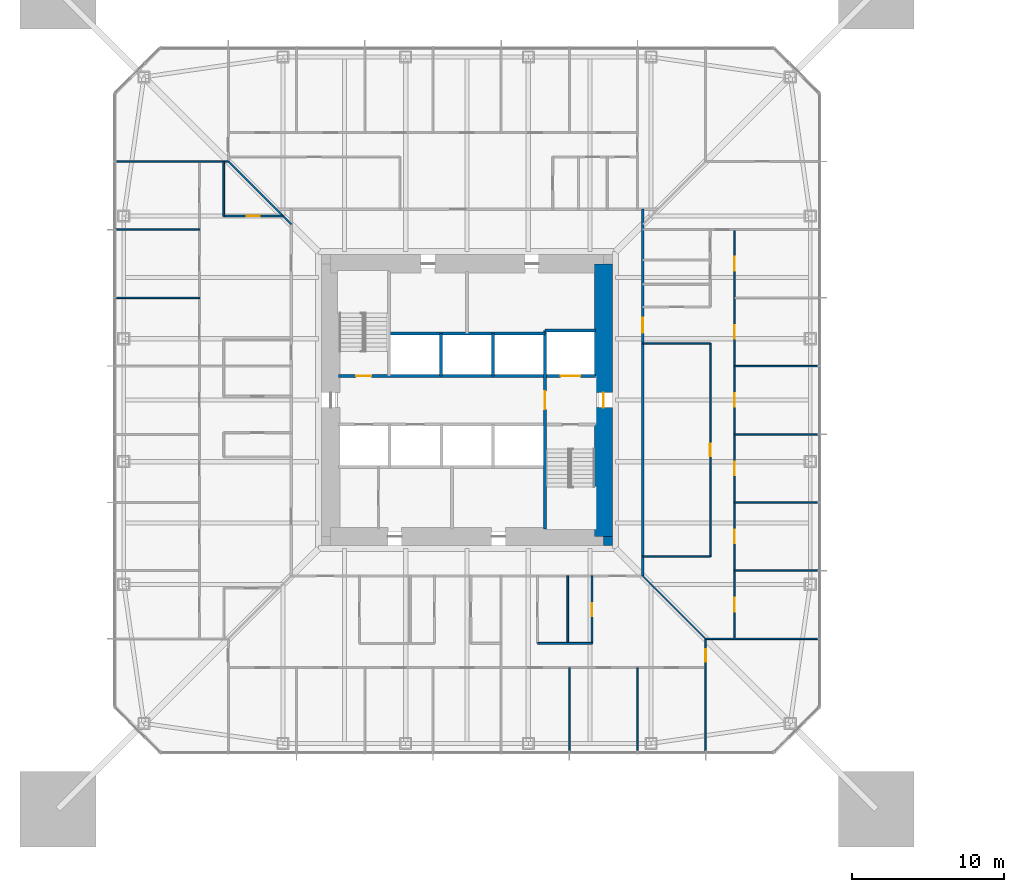
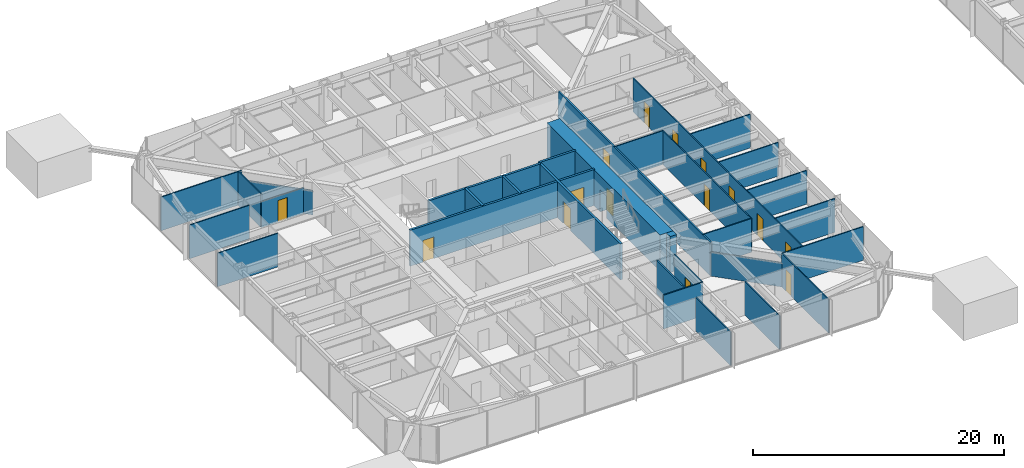
# One storey, part 16 of 26: 31 walls, 15 doors, 15 openings.
"""IFC4 building model written with IfcOpenShell, lengths in metres."""

from ifc_helpers import new_model, si_unit, direction, frame, frame_2d, origin, place, context, subcontext, project, spatial, rectangle, extrude, material, layer, layer_set, type_object, element, fill, save


model = new_model("IFC4")

# Units and contexts
model_context = context("Model", 3, precision=1e-05, world=origin(), true_north=direction((0.0, 1.0)))
body_context = subcontext(model_context, "Body", "Model", "MODEL_VIEW")
ifc_project = project(units=[si_unit("LENGTHUNIT", "METRE"), si_unit("AREAUNIT", "SQUARE_METRE"), si_unit("VOLUMEUNIT", "CUBIC_METRE"), si_unit("PLANEANGLEUNIT", "RADIAN"), si_unit("MASSUNIT", "GRAM", prefix="KILO")], contexts=[model_context])

# Site, building, storey
site_placement = place(None, origin())
site = spatial("IfcSite", under=ifc_project, at=site_placement, CompositionType="ELEMENT")
building_placement = place(site_placement, origin())
building = spatial("IfcBuilding", under=site, at=building_placement, Name="Iwan Alto Co-Living Towers", CompositionType="ELEMENT")
storey_placement = place(building_placement, frame((0.0, 0.0, 57.0)))
storey = spatial("IfcBuildingStorey", under=building, at=storey_placement, Name="L15", CompositionType="ELEMENT", Elevation=57.0)

# Wall, opening, door
ifc_material_1 = material(Name="Gypsum board")
ifc_layer_1 = layer(ifc_material_1, 0.02490234375, Name="Board", Category="Finish")
ifc_material_2 = material(Name="Steel ASTM A1003 ST33H cold-formed studs", Category="steel")
ifc_layer_2 = layer(ifc_material_2, 0.10009765625, Name="Studs", Category="Framing")
ifc_layer_3 = layer(ifc_material_1, 0.02490234375, Name="Board", Category="Finish")
ifc_layer_set_1 = layer_set([ifc_layer_1, ifc_layer_2, ifc_layer_3], Name="CORRIDOR WALL 150")
wall_type_1 = type_object("IfcWallType", Name="CORRIDOR WALL 150", PredefinedType="PARTITIONING", material=ifc_layer_set_1)
wall_1_placement = place(storey_placement, frame((11.60009765625, -11.60009765625, 0.0), z_axis=(0.0, 0.0, 1.0), x_axis=(0.0, 1.0, 0.0)))
wall_1 = element("IfcWall", 1, at=wall_1_placement, inside=storey, type_object=wall_type_1, Name="Partition L15", PredefinedType="PARTITIONING", context=body_context, shape_type="SweptSolid", body=[
    extrude(rectangle(XDim=24.2001953125, YDim=0.14990234375, at=frame_2d((12.10009765625, 0.0))), origin(), (0.0, 0.0, 1.0), 3.27001953125),
])
opening_1_placement = place(wall_1_placement, frame((16.050048828125, 0.0, 0.0)))
opening_1 = element("IfcOpeningElement", 2, at=opening_1_placement, cuts=wall_1, Name="Opening D3", PredefinedType="OPENING", context=body_context, shape_type="SweptSolid", body=[
    extrude(rectangle(XDim=1.0, YDim=2.10009765625, at=frame_2d((0.5, 1.050048828125))), frame((0.0, 0.0849609375, 0.0), z_axis=(0.0, -1.0, 0.0), x_axis=(1.0, 0.0, 0.0)), (0.0, 0.0, 1.0), 0.169921875),
])
ifc_material_3 = material(Name="Steel frame with timber leaf", Category="steel")
door_type_1 = type_object("IfcDoorType", Name="FLAT ENTRANCE DOOR FD30S 1000X2100", OperationType="SINGLE_SWING_LEFT", PredefinedType="DOOR", material=ifc_material_3)
door_1_placement = place(opening_1_placement, frame((1.0, 0.0, 0.0), z_axis=(0.0, 0.0, 1.0), x_axis=(-1.0, 0.0, 0.0)))
door_1 = element("IfcDoor", 3, at=door_1_placement, inside=storey, type_object=door_type_1, Name="Cluster lounge door L15", OperationType="SINGLE_SWING_RIGHT", OverallHeight=2.10009765625, OverallWidth=1.0, PredefinedType="DOOR", context=body_context, shape_type="SweptSolid", body=[
    extrude(rectangle(XDim=1.0, YDim=2.10009765625, at=frame_2d((0.5, 1.050048828125))), frame((0.0, 0.02490234375, 0.0), z_axis=(0.0, -1.0, 0.0), x_axis=(1.0, 0.0, 0.0)), (0.0, 0.0, 1.0), 0.050048828125),
])
fill(opening_1, door_1)

# Walls
ifc_layer_4 = layer(ifc_material_1, 0.012451171875, Name="Board", Category="Finish")
ifc_layer_5 = layer(ifc_material_2, 0.074951171875, Name="Studs", Category="Framing")
ifc_layer_6 = layer(ifc_material_1, 0.012451171875, Name="Board", Category="Finish")
ifc_layer_set_2 = layer_set([ifc_layer_4, ifc_layer_5, ifc_layer_6], Name="PARTITION 100")
wall_type_2 = type_object("IfcWallType", Name="PARTITION 100", PredefinedType="PARTITIONING", material=ifc_layer_set_2)
wall_2_placement = place(storey_placement, frame((15.75, -15.75, 0.0), z_axis=(0.0, 0.0, 1.0), x_axis=(1.0, 0.0, 0.0)))
element("IfcWall", 4, at=wall_2_placement, inside=storey, type_object=wall_type_2, Name="Partition L15", PredefinedType="PARTITIONING", context=body_context, shape_type="SweptSolid", body=[
    extrude(rectangle(XDim=7.43994140625, YDim=0.10009765625, at=frame_2d((3.719970703125, 0.0))), origin(), (0.0, 0.0, 1.0), 3.27001953125),
])
wall_3_placement = place(storey_placement, frame((17.64990234375, -11.25, 0.0), z_axis=(0.0, 0.0, 1.0), x_axis=(1.0, 0.0, 0.0)))
element("IfcWall", 5, at=wall_3_placement, inside=storey, type_object=wall_type_2, Name="Partition L15", PredefinedType="PARTITIONING", context=body_context, shape_type="SweptSolid", body=[
    extrude(rectangle(XDim=5.5400390625, YDim=0.10009765625, at=frame_2d((2.77001953125, 0.0))), origin(), (0.0, 0.0, 1.0), 3.27001953125),
])
wall_4_placement = place(storey_placement, frame((11.60009765625, -10.330078125, 0.0), z_axis=(0.0, 0.0, 1.0), x_axis=(1.0, 0.0, 0.0)))
element("IfcWall", 6, at=wall_4_placement, inside=storey, type_object=wall_type_2, Name="Partition L15", PredefinedType="PARTITIONING", context=body_context, shape_type="SweptSolid", body=[
    extrude(rectangle(XDim=4.449951171875, YDim=0.10009765625, at=frame_2d((2.22509765625, 0.0))), origin(), (0.0, 0.0, 1.0), 3.27001953125),
])
for number, where, z_axis, x_axis, name in (
    (7, (17.64990234375, -6.75, 0.0), (0.0, 0.0, 1.0), (1.0, 0.0, 0.0), "Partition L15"),
    (8, (17.64990234375, -2.25, 0.0), (0.0, 0.0, 1.0), (1.0, 0.0, 0.0), "Partition L15"),
    (9, (17.64990234375, 2.25, 0.0), (0.0, 0.0, 1.0), (1.0, 0.0, 0.0), "Partition L15"),
):
    element("IfcWall", number, at=place(storey_placement, frame(where, z_axis=z_axis, x_axis=x_axis)), inside=storey, type_object=wall_type_2, Name=name, PredefinedType="PARTITIONING", context=body_context, shape_type="SweptSolid", body=[
        extrude(rectangle(XDim=5.5400390625, YDim=0.10009765625, at=frame_2d((2.77001953125, 0.0))), origin(), (0.0, 0.0, 1.0), 3.27001953125),
    ])
wall_5_placement = place(storey_placement, frame((11.60009765625, 3.75, 0.0), z_axis=(0.0, 0.0, 1.0), x_axis=(1.0, 0.0, 0.0)))
element("IfcWall", 10, at=wall_5_placement, inside=storey, type_object=wall_type_2, Name="Partition L15", PredefinedType="PARTITIONING", context=body_context, shape_type="SweptSolid", body=[
    extrude(rectangle(XDim=4.449951171875, YDim=0.10009765625, at=frame_2d((2.22509765625, 0.0))), origin(), (0.0, 0.0, 1.0), 3.27001953125),
])
for number, where, z_axis, x_axis, name in (
    (11, (-23.18994140625, 6.75, 0.0), (0.0, 0.0, 1.0), (1.0, 0.0, 0.0), "Partition L15"),
    (12, (-23.18994140625, 11.25, 0.0), (0.0, 0.0, 1.0), (1.0, 0.0, 0.0), "Partition L15"),
):
    element("IfcWall", number, at=place(storey_placement, frame(where, z_axis=z_axis, x_axis=x_axis)), inside=storey, type_object=wall_type_2, Name=name, PredefinedType="PARTITIONING", context=body_context, shape_type="SweptSolid", body=[
        extrude(rectangle(XDim=5.5400390625, YDim=0.10009765625, at=frame_2d((2.77001953125, 0.0))), origin(), (0.0, 0.0, 1.0), 3.27001953125),
    ])
wall_6_placement = place(storey_placement, frame((-23.18994140625, 15.75, 0.0), z_axis=(0.0, 0.0, 1.0), x_axis=(1.0, 0.0, 0.0)))
element("IfcWall", 13, at=wall_6_placement, inside=storey, type_object=wall_type_2, Name="Partition L15", PredefinedType="PARTITIONING", context=body_context, shape_type="SweptSolid", body=[
    extrude(rectangle(XDim=7.43994140625, YDim=0.10009765625, at=frame_2d((3.719970703125, 0.0))), origin(), (0.0, 0.0, 1.0), 3.27001953125),
])

# Wall, openings, doors
wall_7_placement = place(storey_placement, frame((17.64990234375, -15.75, 0.0), z_axis=(0.0, 0.0, 1.0), x_axis=(0.0, 1.0, 0.0)))
wall_7 = element("IfcWall", 14, at=wall_7_placement, inside=storey, type_object=wall_type_2, Name="Partition L15", PredefinedType="PARTITIONING", context=body_context, shape_type="SweptSolid", body=[
    extrude(rectangle(XDim=27.0, YDim=0.10009765625, at=frame_2d((13.5, 0.0))), origin(), (0.0, 0.0, 1.0), 3.27001953125),
])
opening_2_placement = place(wall_7_placement, frame((1.800048828125, 0.0, 0.0)))
opening_2 = element("IfcOpeningElement", 15, at=opening_2_placement, cuts=wall_7, Name="Opening D1", PredefinedType="OPENING", context=body_context, shape_type="SweptSolid", body=[
    extrude(rectangle(XDim=0.89990234375, YDim=2.10009765625, at=frame_2d((0.449951171875, 1.050048828125))), frame((0.0, 0.06005859375, 0.0), z_axis=(0.0, -1.0, 0.0), x_axis=(1.0, 0.0, 0.0)), (0.0, 0.0, 1.0), 0.1201171875),
])
opening_3_placement = place(wall_7_placement, frame((6.300048828125, 0.0, 0.0)))
opening_3 = element("IfcOpeningElement", 16, at=opening_3_placement, cuts=wall_7, Name="Opening D1", PredefinedType="OPENING", context=body_context, shape_type="SweptSolid", body=[
    extrude(rectangle(XDim=0.89990234375, YDim=2.10009765625, at=frame_2d((0.449951171875, 1.050048828125))), frame((0.0, 0.06005859375, 0.0), z_axis=(0.0, -1.0, 0.0), x_axis=(1.0, 0.0, 0.0)), (0.0, 0.0, 1.0), 0.1201171875),
])
opening_4_placement = place(wall_7_placement, frame((10.800048828125, 0.0, 0.0)))
opening_4 = element("IfcOpeningElement", 17, at=opening_4_placement, cuts=wall_7, Name="Opening D1", PredefinedType="OPENING", context=body_context, shape_type="SweptSolid", body=[
    extrude(rectangle(XDim=0.89990234375, YDim=2.10009765625, at=frame_2d((0.449951171875, 1.050048828125))), frame((0.0, 0.06005859375, 0.0), z_axis=(0.0, -1.0, 0.0), x_axis=(1.0, 0.0, 0.0)), (0.0, 0.0, 1.0), 0.1201171875),
])
opening_5_placement = place(wall_7_placement, frame((15.300048828125, 0.0, 0.0)))
opening_5 = element("IfcOpeningElement", 18, at=opening_5_placement, cuts=wall_7, Name="Opening D1", PredefinedType="OPENING", context=body_context, shape_type="SweptSolid", body=[
    extrude(rectangle(XDim=0.89990234375, YDim=2.10009765625, at=frame_2d((0.449951171875, 1.050048828125))), frame((0.0, 0.06005859375, 0.0), z_axis=(0.0, -1.0, 0.0), x_axis=(1.0, 0.0, 0.0)), (0.0, 0.0, 1.0), 0.1201171875),
])
opening_6_placement = place(wall_7_placement, frame((19.800048828125, 0.0, 0.0)))
opening_6 = element("IfcOpeningElement", 19, at=opening_6_placement, cuts=wall_7, Name="Opening D1", PredefinedType="OPENING", context=body_context, shape_type="SweptSolid", body=[
    extrude(rectangle(XDim=0.89990234375, YDim=2.10009765625, at=frame_2d((0.449951171875, 1.050048828125))), frame((0.0, 0.06005859375, 0.0), z_axis=(0.0, -1.0, 0.0), x_axis=(1.0, 0.0, 0.0)), (0.0, 0.0, 1.0), 0.1201171875),
])
opening_7_placement = place(wall_7_placement, frame((24.300048828125, 0.0, 0.0)))
opening_7 = element("IfcOpeningElement", 20, at=opening_7_placement, cuts=wall_7, Name="Opening D1", PredefinedType="OPENING", context=body_context, shape_type="SweptSolid", body=[
    extrude(rectangle(XDim=0.89990234375, YDim=2.10009765625, at=frame_2d((0.449951171875, 1.050048828125))), frame((0.0, 0.06005859375, 0.0), z_axis=(0.0, -1.0, 0.0), x_axis=(1.0, 0.0, 0.0)), (0.0, 0.0, 1.0), 0.1201171875),
])
ifc_material_4 = material(Name="Timber leaf in steel frame", Category="steel")
door_type_2 = type_object("IfcDoorType", Name="BEDROOM DOOR 900X2100", OperationType="SINGLE_SWING_LEFT", PredefinedType="DOOR", material=ifc_material_4)
door_2_placement = place(opening_2_placement, origin())
door_2 = element("IfcDoor", 21, at=door_2_placement, inside=storey, type_object=door_type_2, Name="Study bedroom door L15", OperationType="SINGLE_SWING_LEFT", OverallHeight=2.10009765625, OverallWidth=0.89990234375, PredefinedType="DOOR", context=body_context, shape_type="SweptSolid", body=[
    extrude(rectangle(XDim=0.89990234375, YDim=2.10009765625, at=frame_2d((0.449951171875, 1.050048828125))), frame((0.0, 0.02490234375, 0.0), z_axis=(0.0, -1.0, 0.0), x_axis=(1.0, 0.0, 0.0)), (0.0, 0.0, 1.0), 0.050048828125),
])
fill(opening_2, door_2)
door_3_placement = place(opening_3_placement, origin())
door_3 = element("IfcDoor", 22, at=door_3_placement, inside=storey, type_object=door_type_2, Name="Study bedroom door L15", OperationType="SINGLE_SWING_LEFT", OverallHeight=2.10009765625, OverallWidth=0.89990234375, PredefinedType="DOOR", context=body_context, shape_type="SweptSolid", body=[
    extrude(rectangle(XDim=0.89990234375, YDim=2.10009765625, at=frame_2d((0.449951171875, 1.050048828125))), frame((0.0, 0.02490234375, 0.0), z_axis=(0.0, -1.0, 0.0), x_axis=(1.0, 0.0, 0.0)), (0.0, 0.0, 1.0), 0.050048828125),
])
fill(opening_3, door_3)
door_4_placement = place(opening_4_placement, origin())
door_4 = element("IfcDoor", 23, at=door_4_placement, inside=storey, type_object=door_type_2, Name="Study bedroom door L15", OperationType="SINGLE_SWING_LEFT", OverallHeight=2.10009765625, OverallWidth=0.89990234375, PredefinedType="DOOR", context=body_context, shape_type="SweptSolid", body=[
    extrude(rectangle(XDim=0.89990234375, YDim=2.10009765625, at=frame_2d((0.449951171875, 1.050048828125))), frame((0.0, 0.02490234375, 0.0), z_axis=(0.0, -1.0, 0.0), x_axis=(1.0, 0.0, 0.0)), (0.0, 0.0, 1.0), 0.050048828125),
])
fill(opening_4, door_4)
door_5_placement = place(opening_5_placement, origin())
door_5 = element("IfcDoor", 24, at=door_5_placement, inside=storey, type_object=door_type_2, Name="Study bedroom door L15", OperationType="SINGLE_SWING_RIGHT", OverallHeight=2.10009765625, OverallWidth=0.89990234375, PredefinedType="DOOR", context=body_context, shape_type="SweptSolid", body=[
    extrude(rectangle(XDim=0.89990234375, YDim=2.10009765625, at=frame_2d((0.449951171875, 1.050048828125))), frame((0.0, 0.02490234375, 0.0), z_axis=(0.0, -1.0, 0.0), x_axis=(1.0, 0.0, 0.0)), (0.0, 0.0, 1.0), 0.050048828125),
])
fill(opening_5, door_5)
door_6_placement = place(opening_6_placement, origin())
door_6 = element("IfcDoor", 25, at=door_6_placement, inside=storey, type_object=door_type_2, Name="Study bedroom door L15", OperationType="SINGLE_SWING_RIGHT", OverallHeight=2.10009765625, OverallWidth=0.89990234375, PredefinedType="DOOR", context=body_context, shape_type="SweptSolid", body=[
    extrude(rectangle(XDim=0.89990234375, YDim=2.10009765625, at=frame_2d((0.449951171875, 1.050048828125))), frame((0.0, 0.02490234375, 0.0), z_axis=(0.0, -1.0, 0.0), x_axis=(1.0, 0.0, 0.0)), (0.0, 0.0, 1.0), 0.050048828125),
])
fill(opening_6, door_6)
door_7_placement = place(opening_7_placement, origin())
door_7 = element("IfcDoor", 26, at=door_7_placement, inside=storey, type_object=door_type_2, Name="Study bedroom door L15", OperationType="SINGLE_SWING_RIGHT", OverallHeight=2.10009765625, OverallWidth=0.89990234375, PredefinedType="DOOR", context=body_context, shape_type="SweptSolid", body=[
    extrude(rectangle(XDim=0.89990234375, YDim=2.10009765625, at=frame_2d((0.449951171875, 1.050048828125))), frame((0.0, 0.02490234375, 0.0), z_axis=(0.0, -1.0, 0.0), x_axis=(1.0, 0.0, 0.0)), (0.0, 0.0, 1.0), 0.050048828125),
])
fill(opening_7, door_7)

# Wall, opening, door
wall_8_placement = place(storey_placement, frame((16.050048828125, -10.330078125, 0.0), z_axis=(0.0, 0.0, 1.0), x_axis=(0.0, 1.0, 0.0)))
wall_8 = element("IfcWall", 27, at=wall_8_placement, inside=storey, type_object=wall_type_2, Name="Partition L15", PredefinedType="PARTITIONING", context=body_context, shape_type="SweptSolid", body=[
    extrude(rectangle(XDim=14.080078125, YDim=0.10009765625, at=frame_2d((7.0400390625, 0.0))), origin(), (0.0, 0.0, 1.0), 3.27001953125),
])
opening_8_placement = place(wall_8_placement, frame((6.614990234375, 0.0, 0.0)))
opening_8 = element("IfcOpeningElement", 28, at=opening_8_placement, cuts=wall_8, Name="Opening D2", PredefinedType="OPENING", context=body_context, shape_type="SweptSolid", body=[
    extrude(rectangle(XDim=0.85009765625, YDim=2.10009765625, at=frame_2d((0.425048828125, 1.050048828125))), frame((0.0, 0.06005859375, 0.0), z_axis=(0.0, -1.0, 0.0), x_axis=(1.0, 0.0, 0.0)), (0.0, 0.0, 1.0), 0.1201171875),
])
ifc_material_5 = material(Name="Timber leaf in steel frame", Category="steel")
door_type_3 = type_object("IfcDoorType", Name="ROOM DOOR 850X2100", OperationType="SINGLE_SWING_LEFT", PredefinedType="DOOR", material=ifc_material_5)
door_8_placement = place(opening_8_placement, frame((0.85009765625, 0.0, 0.0), z_axis=(0.0, 0.0, 1.0), x_axis=(-1.0, 0.0, 0.0)))
door_8 = element("IfcDoor", 29, at=door_8_placement, inside=storey, type_object=door_type_3, Name="Study lounge door L15", OperationType="SINGLE_SWING_RIGHT", OverallHeight=2.10009765625, OverallWidth=0.85009765625, PredefinedType="DOOR", context=body_context, shape_type="SweptSolid", body=[
    extrude(rectangle(XDim=0.85009765625, YDim=2.10009765625, at=frame_2d((0.425048828125, 1.050048828125))), frame((0.0, 0.02490234375, 0.0), z_axis=(0.0, -1.0, 0.0), x_axis=(1.0, 0.0, 0.0)), (0.0, 0.0, 1.0), 0.050048828125),
])
fill(opening_8, door_8)

wall_9_placement = place(storey_placement, frame((15.75, -23.18994140625, 0.0), z_axis=(0.0, 0.0, 1.0), x_axis=(0.0, 1.0, 0.0)))
wall_9 = element("IfcWall", 30, at=wall_9_placement, inside=storey, type_object=wall_type_2, Name="Partition L15", PredefinedType="PARTITIONING", context=body_context, shape_type="SweptSolid", body=[
    extrude(rectangle(XDim=7.43994140625, YDim=0.10009765625, at=frame_2d((3.719970703125, 0.0))), origin(), (0.0, 0.0, 1.0), 3.27001953125),
])
opening_9_placement = place(wall_9_placement, frame((5.9150390625, 0.0, 0.0)))
opening_9 = element("IfcOpeningElement", 31, at=opening_9_placement, cuts=wall_9, Name="Opening D2", PredefinedType="OPENING", context=body_context, shape_type="SweptSolid", body=[
    extrude(rectangle(XDim=0.85009765625, YDim=2.10009765625, at=frame_2d((0.425048828125, 1.050048828125))), frame((0.0, 0.06005859375, 0.0), z_axis=(0.0, -1.0, 0.0), x_axis=(1.0, 0.0, 0.0)), (0.0, 0.0, 1.0), 0.1201171875),
])
door_9_placement = place(opening_9_placement, origin())
door_9 = element("IfcDoor", 32, at=door_9_placement, inside=storey, type_object=door_type_3, Name="Shared kitchen and dining room door L15", OperationType="SINGLE_SWING_LEFT", OverallHeight=2.10009765625, OverallWidth=0.85009765625, PredefinedType="DOOR", context=body_context, shape_type="SweptSolid", body=[
    extrude(rectangle(XDim=0.85009765625, YDim=2.10009765625, at=frame_2d((0.425048828125, 1.050048828125))), frame((0.0, 0.02490234375, 0.0), z_axis=(0.0, -1.0, 0.0), x_axis=(1.0, 0.0, 0.0)), (0.0, 0.0, 1.0), 0.050048828125),
])
fill(opening_9, door_9)

# Walls
for number, where, z_axis, x_axis, name in (
    (33, (11.25, -23.18994140625, 0.0), (0.0, 0.0, 1.0), (0.0, 1.0, 0.0), "Partition L15"),
    (34, (6.75, -23.18994140625, 0.0), (0.0, 0.0, 1.0), (0.0, 1.0, 0.0), "Partition L15"),
):
    element("IfcWall", number, at=place(storey_placement, frame(where, z_axis=z_axis, x_axis=x_axis)), inside=storey, type_object=wall_type_2, Name=name, PredefinedType="PARTITIONING", context=body_context, shape_type="SweptSolid", body=[
        extrude(rectangle(XDim=5.5400390625, YDim=0.10009765625, at=frame_2d((2.77001953125, 0.0))), origin(), (0.0, 0.0, 1.0), 3.27001953125),
    ])
wall_10_placement = place(storey_placement, frame((15.75, -15.75, 0.0), z_axis=(0.0, 0.0, 1.0), x_axis=(-0.707106781187, 0.707106781187, 0.0)))
element("IfcWall", 35, at=wall_10_placement, inside=storey, type_object=wall_type_2, Name="Partition L15", PredefinedType="PARTITIONING", context=body_context, shape_type="SweptSolid", body=[
    extrude(rectangle(XDim=5.868896484375, YDim=0.10009765625, at=frame_2d((2.9345703125, 0.0))), origin(), (0.0, 0.0, 1.0), 2.343017578125),
])

# Wall, openings, doors
ifc_material_6 = material(Name="Concrete f'c 70 MPa", Category="concrete")
ifc_layer_7 = layer(ifc_material_6, 0.199951171875)
ifc_layer_set_3 = layer_set([ifc_layer_7], Name="SHAFT WALL 200")
wall_type_3 = type_object("IfcWallType", Name="SHAFT WALL 200", PredefinedType="SOLIDWALL", material=ifc_layer_set_3)
wall_11_placement = place(storey_placement, frame((-8.489990234375, 1.60009765625, 0.0), z_axis=(0.0, 0.0, 1.0), x_axis=(1.0, 0.0, 0.0)))
wall_11 = element("IfcWall", 36, at=wall_11_placement, inside=storey, type_object=wall_type_3, Name="Shaft wall L15", PredefinedType="SOLIDWALL", context=body_context, shape_type="SweptSolid", body=[
    extrude(rectangle(XDim=16.97998046875, YDim=0.199951171875, at=frame_2d((8.489990234375, 0.0))), origin(), (0.0, 0.0, 1.0), 3.5),
])
opening_10_placement = place(wall_11_placement, frame((1.169921875, 0.0, 0.0)))
opening_10 = element("IfcOpeningElement", 37, at=opening_10_placement, cuts=wall_11, Name="Opening D5", PredefinedType="OPENING", context=body_context, shape_type="SweptSolid", body=[
    extrude(rectangle(XDim=1.0, YDim=2.10009765625, at=frame_2d((0.5, 1.050048828125))), frame((0.0, 0.10986328125, 0.0), z_axis=(0.0, -1.0, 0.0), x_axis=(1.0, 0.0, 0.0)), (0.0, 0.0, 1.0), 0.219970703125),
])
opening_11_placement = place(wall_11_placement, frame((14.659912109375, 0.0, 0.0)))
opening_11 = element("IfcOpeningElement", 38, at=opening_11_placement, cuts=wall_11, Name="Opening LD2", PredefinedType="OPENING", context=body_context, shape_type="SweptSolid", body=[
    extrude(rectangle(XDim=1.300048828125, YDim=2.10009765625, at=frame_2d((0.64990234375, 1.050048828125))), frame((0.0, 0.10986328125, 0.0), z_axis=(0.0, -1.0, 0.0), x_axis=(1.0, 0.0, 0.0)), (0.0, 0.0, 1.0), 0.219970703125),
])
ifc_material_7 = material(Name="Steel frame with timber leaf", Category="steel")
door_type_4 = type_object("IfcDoorType", Name="LIFT LANDING DOOR 1300X2100", OperationType="SLIDING_TO_LEFT", PredefinedType="DOOR", material=ifc_material_7)
door_10_placement = place(opening_11_placement, origin())
door_10 = element("IfcDoor", 39, at=door_10_placement, inside=storey, type_object=door_type_4, Name="Lift FL1 landing door L15", OperationType="SLIDING_TO_LEFT", OverallHeight=2.10009765625, OverallWidth=1.300048828125, PredefinedType="DOOR", context=body_context, shape_type="SweptSolid", body=[
    extrude(rectangle(XDim=1.300048828125, YDim=2.10009765625, at=frame_2d((0.64990234375, 1.050048828125))), frame((0.0, 0.02490234375, 0.0), z_axis=(0.0, -1.0, 0.0), x_axis=(1.0, 0.0, 0.0)), (0.0, 0.0, 1.0), 0.050048828125),
])
fill(opening_11, door_10)
ifc_material_8 = material(Name="Steel frame with timber leaf", Category="steel")
door_type_5 = type_object("IfcDoorType", Name="STAIR DOOR FD120S 1000X2100", OperationType="SINGLE_SWING_LEFT", PredefinedType="DOOR", material=ifc_material_8)
door_11_placement = place(opening_10_placement, origin())
door_11 = element("IfcDoor", 40, at=door_11_placement, inside=storey, type_object=door_type_5, Name="Stair S1 door L15", OperationType="SINGLE_SWING_RIGHT", OverallHeight=2.10009765625, OverallWidth=1.0, PredefinedType="DOOR", context=body_context, shape_type="SweptSolid", body=[
    extrude(rectangle(XDim=1.0, YDim=2.10009765625, at=frame_2d((0.5, 1.050048828125))), frame((0.0, 0.02490234375, 0.0), z_axis=(0.0, -1.0, 0.0), x_axis=(1.0, 0.0, 0.0)), (0.0, 0.0, 1.0), 0.050048828125),
])
fill(opening_10, door_11)

# Walls
wall_12_placement = place(storey_placement, frame((-5.14990234375, 4.39990234375, 0.0), z_axis=(0.0, 0.0, 1.0), x_axis=(1.0, 0.0, 0.0)))
element("IfcWall", 41, at=wall_12_placement, inside=storey, type_object=wall_type_3, Name="Shaft wall L15", PredefinedType="SOLIDWALL", context=body_context, shape_type="SweptSolid", body=[
    extrude(rectangle(XDim=10.2998046875, YDim=0.199951171875, at=frame_2d((5.14990234375, 0.0))), origin(), (0.0, 0.0, 1.0), 3.5),
])
wall_13_placement = place(storey_placement, frame((5.14990234375, 4.60009765625, 0.0), z_axis=(0.0, 0.0, 1.0), x_axis=(1.0, 0.0, 0.0)))
element("IfcWall", 42, at=wall_13_placement, inside=storey, type_object=wall_type_3, Name="Shaft wall L15", PredefinedType="SOLIDWALL", context=body_context, shape_type="SweptSolid", body=[
    extrude(rectangle(XDim=3.340087890625, YDim=0.199951171875, at=frame_2d((1.669921875, 0.0))), origin(), (0.0, 0.0, 1.0), 3.5),
])

# Wall, opening, door
wall_14_placement = place(storey_placement, frame((5.14990234375, -8.489990234375, 0.0), z_axis=(0.0, 0.0, 1.0), x_axis=(0.0, 1.0, 0.0)))
wall_14 = element("IfcWall", 43, at=wall_14_placement, inside=storey, type_object=wall_type_3, Name="Shaft wall L15", PredefinedType="SOLIDWALL", context=body_context, shape_type="SweptSolid", body=[
    extrude(rectangle(XDim=13.090087890625, YDim=0.199951171875, at=frame_2d((6.544921875, 0.0))), origin(), (0.0, 0.0, 1.0), 3.5),
])
opening_12_placement = place(wall_14_placement, frame((7.889892578125, 0.0, 0.0)))
opening_12 = element("IfcOpeningElement", 44, at=opening_12_placement, cuts=wall_14, Name="Opening D6", PredefinedType="OPENING", context=body_context, shape_type="SweptSolid", body=[
    extrude(rectangle(XDim=1.199951171875, YDim=2.10009765625, at=frame_2d((0.60009765625, 1.050048828125))), frame((0.0, 0.10986328125, 0.0), z_axis=(0.0, -1.0, 0.0), x_axis=(1.0, 0.0, 0.0)), (0.0, 0.0, 1.0), 0.219970703125),
])
ifc_material_9 = material(Name="Steel frame with timber leaf", Category="steel")
door_type_6 = type_object("IfcDoorType", Name="LOBBY DOOR FD120S 1200X2100", OperationType="SINGLE_SWING_LEFT", PredefinedType="DOOR", material=ifc_material_9)
door_12_placement = place(opening_12_placement, frame((1.199951171875, 0.0, 0.0), z_axis=(0.0, 0.0, 1.0), x_axis=(-1.0, 0.0, 0.0)))
door_12 = element("IfcDoor", 45, at=door_12_placement, inside=storey, type_object=door_type_6, Name="Firefighting lobby door L15", OperationType="SINGLE_SWING_RIGHT", OverallHeight=2.10009765625, OverallWidth=1.199951171875, PredefinedType="DOOR", context=body_context, shape_type="SweptSolid", body=[
    extrude(rectangle(XDim=1.199951171875, YDim=2.10009765625, at=frame_2d((0.60009765625, 1.050048828125))), frame((0.0, 0.02490234375, 0.0), z_axis=(0.0, -1.0, 0.0), x_axis=(1.0, 0.0, 0.0)), (0.0, 0.0, 1.0), 0.050048828125),
])
fill(opening_12, door_12)

# Walls
for number, where, z_axis, x_axis, name in (
    (46, (1.717041015625, 1.60009765625, 0.0), (0.0, 0.0, 1.0), (0.0, 1.0, 0.0), "Shaft wall L15"),
    (47, (-1.717041015625, 1.60009765625, 0.0), (0.0, 0.0, 1.0), (0.0, 1.0, 0.0), "Shaft wall L15"),
):
    element("IfcWall", number, at=place(storey_placement, frame(where, z_axis=z_axis, x_axis=x_axis)), inside=storey, type_object=wall_type_3, Name=name, PredefinedType="SOLIDWALL", context=body_context, shape_type="SweptSolid", body=[
        extrude(rectangle(XDim=2.7998046875, YDim=0.199951171875, at=frame_2d((1.39990234375, 0.0))), origin(), (0.0, 0.0, 1.0), 3.5),
    ])
ifc_material_10 = material(Name="Concrete f'c 70 MPa", Category="concrete")
ifc_layer_8 = layer(ifc_material_10, 0.60009765625)
ifc_layer_set_4 = layer_set([ifc_layer_8], Name="T1 CORE CORNER FILL 600")
wall_type_4 = type_object("IfcWallType", Name="T1 CORE CORNER FILL 600", PredefinedType="SOLIDWALL", material=ifc_layer_set_4)
wall_15_placement = place(storey_placement, frame((9.0, -9.300048828125, 0.0), z_axis=(0.0, 0.0, 1.0), x_axis=(1.0, 0.0, 0.0)))
element("IfcWall", 48, at=wall_15_placement, inside=storey, type_object=wall_type_4, Name="T1 core corner SE L15", PredefinedType="SOLIDWALL", context=body_context, shape_type="SweptSolid", body=[
    extrude(rectangle(XDim=0.60009765625, YDim=0.60009765625, at=frame_2d((0.300048828125, 0.0))), origin(), (0.0, 0.0, 1.0), 3.5),
])

# Wall, opening, door
ifc_material_11 = material(Name="Concrete f'c 70 MPa", Category="concrete")
ifc_layer_9 = layer(ifc_material_11, 1.199951171875)
ifc_layer_set_5 = layer_set([ifc_layer_9], Name="T1 CORE WALL 1200")
wall_type_5 = type_object("IfcWallType", Name="T1 CORE WALL 1200", PredefinedType="SHEAR", material=ifc_layer_set_5)
wall_16_placement = place(storey_placement, frame((9.0, -9.0, 0.0), z_axis=(0.0, 0.0, 1.0), x_axis=(0.0, 1.0, 0.0)))
wall_16 = element("IfcWall", 49, at=wall_16_placement, inside=storey, type_object=wall_type_5, Name="T1 core wall E L15", PredefinedType="SHEAR", context=body_context, shape_type="SweptSolid", body=[
    extrude(rectangle(XDim=18.0, YDim=1.199951171875, at=frame_2d((9.0, 0.0))), origin(), (0.0, 0.0, 1.0), 3.5),
])
opening_13_placement = place(wall_16_placement, frame((8.5, 0.0, 0.0)))
opening_13 = element("IfcOpeningElement", 50, at=opening_13_placement, cuts=wall_16, Name="Opening D7", PredefinedType="OPENING", context=body_context, shape_type="SweptSolid", body=[
    extrude(rectangle(XDim=1.0, YDim=2.10009765625, at=frame_2d((0.5, 1.050048828125))), frame((0.0, 0.60986328125, 0.0), z_axis=(0.0, -1.0, 0.0), x_axis=(1.0, 0.0, 0.0)), (0.0, 0.0, 1.0), 1.219970703125),
])
ifc_material_12 = material(Name="Steel frame with timber leaf", Category="steel")
door_type_7 = type_object("IfcDoorType", Name="CORE DOOR FD120S 1000X2100", OperationType="SINGLE_SWING_LEFT", PredefinedType="DOOR", material=ifc_material_12)
door_13_placement = place(opening_13_placement, origin())
door_13 = element("IfcDoor", 51, at=door_13_placement, inside=storey, type_object=door_type_7, Name="Firefighting lobby core door L15", OperationType="SINGLE_SWING_LEFT", OverallHeight=2.10009765625, OverallWidth=1.0, PredefinedType="DOOR", context=body_context, shape_type="SweptSolid", body=[
    extrude(rectangle(XDim=1.0, YDim=2.10009765625, at=frame_2d((0.5, 1.050048828125))), frame((0.0, 0.02490234375, 0.0), z_axis=(0.0, -1.0, 0.0), x_axis=(1.0, 0.0, 0.0)), (0.0, 0.0, 1.0), 0.050048828125),
])
fill(opening_13, door_13)

# Wall
ifc_material_13 = material(Name="Cement board")
ifc_layer_10 = layer(ifc_material_13, 0.012451171875, Name="Board", Category="Finish")
ifc_layer_11 = layer(ifc_material_2, 0.094970703125, Name="Studs", Category="Framing")
ifc_layer_12 = layer(ifc_material_13, 0.012451171875, Name="Board", Category="Finish")
ifc_layer_set_6 = layer_set([ifc_layer_10, ifc_layer_11, ifc_layer_12], Name="WET AREA PARTITION 120")
wall_type_6 = type_object("IfcWallType", Name="WET AREA PARTITION 120", PredefinedType="PARTITIONING", material=ifc_layer_set_6)
wall_17_placement = place(storey_placement, frame((4.64990234375, -16.050048828125, 0.0), z_axis=(0.0, 0.0, 1.0), x_axis=(1.0, 0.0, 0.0)))
element("IfcWall", 52, at=wall_17_placement, inside=storey, type_object=wall_type_6, Name="Partition L15", PredefinedType="PARTITIONING", context=body_context, shape_type="SweptSolid", body=[
    extrude(rectangle(XDim=3.60009765625, YDim=0.1201171875, at=frame_2d((1.800048828125, 0.0))), origin(), (0.0, 0.0, 1.0), 3.27001953125),
])

# Wall, opening, door
wall_18_placement = place(storey_placement, frame((-16.050048828125, 12.14990234375, 0.0), z_axis=(0.0, 0.0, 1.0), x_axis=(1.0, 0.0, 0.0)))
wall_18 = element("IfcWall", 53, at=wall_18_placement, inside=storey, type_object=wall_type_6, Name="Partition L15", PredefinedType="PARTITIONING", context=body_context, shape_type="SweptSolid", body=[
    extrude(rectangle(XDim=3.900146484375, YDim=0.1201171875, at=frame_2d((1.9501953125, 0.0))), origin(), (0.0, 0.0, 1.0), 2.508056640625),
])
opening_14_placement = place(wall_18_placement, frame((1.52490234375, 0.0, 0.0)))
opening_14 = element("IfcOpeningElement", 54, at=opening_14_placement, cuts=wall_18, Name="Opening D2", PredefinedType="OPENING", context=body_context, shape_type="SweptSolid", body=[
    extrude(rectangle(XDim=0.85009765625, YDim=2.10009765625, at=frame_2d((0.425048828125, 1.050048828125))), frame((0.0, 0.070068359375, 0.0), z_axis=(0.0, -1.0, 0.0), x_axis=(1.0, 0.0, 0.0)), (0.0, 0.0, 1.0), 0.14013671875),
])
door_14_placement = place(opening_14_placement, frame((0.85009765625, 0.0, 0.0), z_axis=(0.0, 0.0, 1.0), x_axis=(-1.0, 0.0, 0.0)))
door_14 = element("IfcDoor", 55, at=door_14_placement, inside=storey, type_object=door_type_3, Name="Accessible bathroom door L15", OperationType="SINGLE_SWING_LEFT", OverallHeight=2.10009765625, OverallWidth=0.85009765625, PredefinedType="DOOR", context=body_context, shape_type="SweptSolid", body=[
    extrude(rectangle(XDim=0.85009765625, YDim=2.10009765625, at=frame_2d((0.425048828125, 1.050048828125))), frame((0.0, 0.02490234375, 0.0), z_axis=(0.0, -1.0, 0.0), x_axis=(1.0, 0.0, 0.0)), (0.0, 0.0, 1.0), 0.050048828125),
])
fill(opening_14, door_14)

wall_19_placement = place(storey_placement, frame((8.25, -16.050048828125, 0.0), z_axis=(0.0, 0.0, 1.0), x_axis=(0.0, 1.0, 0.0)))
wall_19 = element("IfcWall", 56, at=wall_19_placement, inside=storey, type_object=wall_type_6, Name="Partition L15", PredefinedType="PARTITIONING", context=body_context, shape_type="SweptSolid", body=[
    extrude(rectangle(XDim=4.449951171875, YDim=0.1201171875, at=frame_2d((2.22509765625, 0.0))), origin(), (0.0, 0.0, 1.0), 3.27001953125),
])
opening_15_placement = place(wall_19_placement, frame((1.800048828125, 0.0, 0.0)))
opening_15 = element("IfcOpeningElement", 57, at=opening_15_placement, cuts=wall_19, Name="Opening D2", PredefinedType="OPENING", context=body_context, shape_type="SweptSolid", body=[
    extrude(rectangle(XDim=0.85009765625, YDim=2.10009765625, at=frame_2d((0.425048828125, 1.050048828125))), frame((0.0, 0.070068359375, 0.0), z_axis=(0.0, -1.0, 0.0), x_axis=(1.0, 0.0, 0.0)), (0.0, 0.0, 1.0), 0.14013671875),
])
door_15_placement = place(opening_15_placement, frame((0.85009765625, 0.0, 0.0), z_axis=(0.0, 0.0, 1.0), x_axis=(-1.0, 0.0, 0.0)))
door_15 = element("IfcDoor", 58, at=door_15_placement, inside=storey, type_object=door_type_3, Name="Accessible bathroom door L15", OperationType="SINGLE_SWING_LEFT", OverallHeight=2.10009765625, OverallWidth=0.85009765625, PredefinedType="DOOR", context=body_context, shape_type="SweptSolid", body=[
    extrude(rectangle(XDim=0.85009765625, YDim=2.10009765625, at=frame_2d((0.425048828125, 1.050048828125))), frame((0.0, 0.02490234375, 0.0), z_axis=(0.0, -1.0, 0.0), x_axis=(1.0, 0.0, 0.0)), (0.0, 0.0, 1.0), 0.050048828125),
])
fill(opening_15, door_15)

# Walls
wall_20_placement = place(storey_placement, frame((6.64990234375, -16.050048828125, 0.0), z_axis=(0.0, 0.0, 1.0), x_axis=(0.0, 1.0, 0.0)))
element("IfcWall", 59, at=wall_20_placement, inside=storey, type_object=wall_type_6, Name="Partition L15", PredefinedType="PARTITIONING", context=body_context, shape_type="SweptSolid", body=[
    extrude(rectangle(XDim=4.449951171875, YDim=0.1201171875, at=frame_2d((2.22509765625, 0.0))), origin(), (0.0, 0.0, 1.0), 3.27001953125),
])
wall_21_placement = place(storey_placement, frame((-16.050048828125, 12.14990234375, 0.0), z_axis=(0.0, 0.0, 1.0), x_axis=(0.0, 1.0, 0.0)))
element("IfcWall", 60, at=wall_21_placement, inside=storey, type_object=wall_type_6, Name="Partition L15", PredefinedType="PARTITIONING", context=body_context, shape_type="SweptSolid", body=[
    extrude(rectangle(XDim=3.60009765625, YDim=0.1201171875, at=frame_2d((1.800048828125, 0.0))), origin(), (0.0, 0.0, 1.0), 3.27001953125),
])
wall_22_placement = place(storey_placement, frame((-11.60009765625, 11.60009765625, 0.0), z_axis=(0.0, 0.0, 1.0), x_axis=(-0.707106781187, 0.707106781187, 0.0)))
element("IfcWall", 61, at=wall_22_placement, inside=storey, type_object=wall_type_6, Name="Partition L15", PredefinedType="PARTITIONING", context=body_context, shape_type="SweptSolid", body=[
    extrude(rectangle(XDim=5.868896484375, YDim=0.1201171875, at=frame_2d((2.9345703125, 0.0))), origin(), (0.0, 0.0, 1.0), 2.343017578125),
])

save(model, "model.ifc")
